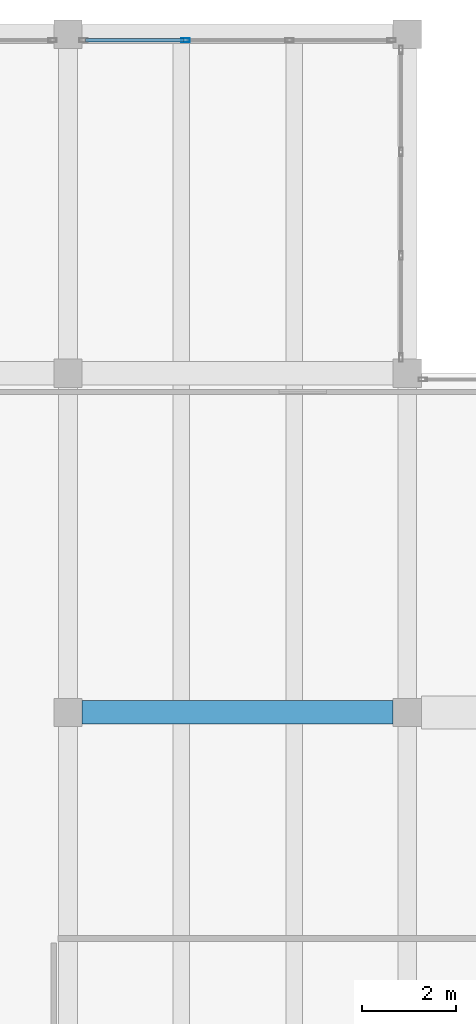
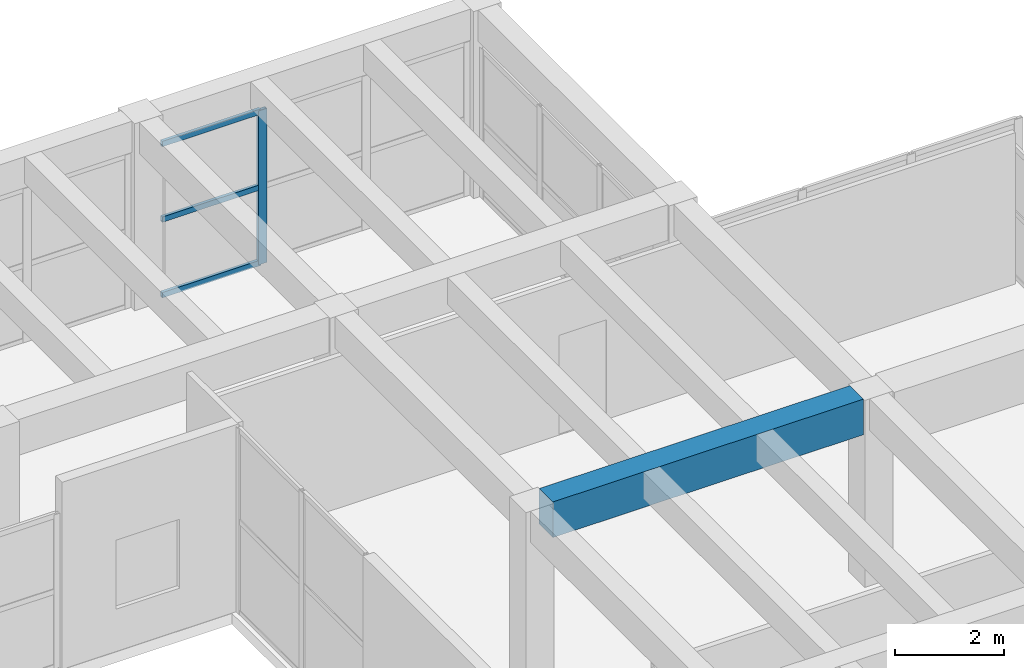
# One storey, part 86 of 153: 4 members, 1 beam, 1 element without a shape of its own.
"""IFC4 building model written with IfcOpenShell, lengths in metres."""

from ifc_helpers import new_model, si_unit, direction, frame, origin, origin_2d, place, context, subcontext, project, spatial, rectangle, hollow_rectangle, extrude, material, material_profile, profile_set, type_object, element, aggregate, save


model = new_model("IFC4")

# Units and contexts
model_context = context("Model", 3, precision=1e-05, world=origin(), true_north=direction((0.0, 1.0)))
body_context = subcontext(model_context, "Body", "Model", "MODEL_VIEW")
ifc_project = project(units=[si_unit("LENGTHUNIT", "METRE"), si_unit("AREAUNIT", "SQUARE_METRE"), si_unit("VOLUMEUNIT", "CUBIC_METRE"), si_unit("PLANEANGLEUNIT", "RADIAN"), si_unit("MASSUNIT", "GRAM", prefix="KILO")], contexts=[model_context])

# Site, building, storey
site_placement = place(None, origin())
site = spatial("IfcSite", under=ifc_project, at=site_placement, CompositionType="ELEMENT")
building_placement = place(site_placement, origin())
building = spatial("IfcBuilding", under=site, at=building_placement, Name="Bramvelor Terrace Health Centre", CompositionType="ELEMENT")
storey_placement = place(building_placement, frame((0.0, 0.0, 4.800048828125)))
storey = spatial("IfcBuildingStorey", under=building, at=storey_placement, Name="L02", CompositionType="ELEMENT", Elevation=4.800048828125)

# Beam
ifc_material_1 = material(Name="Concrete C40/50", Category="concrete")
ifc_material_profile_1 = material_profile(ifc_material_1, rectangle(XDim=0.5, YDim=0.800048828125, at=origin_2d()), Name="RC 500x800")
ifc_profile_set_1 = profile_set([ifc_material_profile_1], Name="Concrete C40/50")
beam_type = type_object("IfcBeamType", Name="BM-RC-G800", PredefinedType="BEAM", material=ifc_profile_set_1)
beam_placement = place(storey_placement, frame((29.10009765625, 100.800048828125, 3.800048828125), z_axis=(1.0, 0.0, 0.0), x_axis=(0.0, 1.0, 0.0)))
element("IfcBeam", 1, at=beam_placement, inside=storey, type_object=beam_type, Name="L02 Floor Girder", PredefinedType="BEAM", context=body_context, shape_type="SweptSolid", body=[
    extrude(rectangle(XDim=0.5, YDim=0.800048828125, at=origin_2d()), origin(), (0.0, 0.0, 1.0), 6.599853515625),
])

# Curtain wall, members
ifc_material_2 = material(Name="Anodized aluminium and double low-E glass", Category="aluminium")
curtain_wall_type = type_object("IfcCurtainWallType", Name="CW-SYS-13", PredefinedType="NOTDEFINED", material=ifc_material_2)
curtain_wall_placement = place(storey_placement, origin())
curtain_wall = element("IfcCurtainWall", 2, at=curtain_wall_placement, inside=storey, type_object=curtain_wall_type, Name="L02 Unitized Curtain Wall 82", PredefinedType="NOTDEFINED")
ifc_material_3 = material(Name="Anodized aluminium 6063-T6", Category="aluminium")
ifc_material_profile_2 = material_profile(ifc_material_3, hollow_rectangle(XDim=0.074951171875, YDim=0.179931640625, WallThickness=0.00341796875, at=origin_2d()), Name="ALU-MUL 75x180x3.5")
ifc_profile_set_2 = profile_set([ifc_material_profile_2], Name="Anodized aluminium 6063-T6")
member_type_1 = type_object("IfcMemberType", Name="CW-MUL-65x180", PredefinedType="MULLION", material=ifc_profile_set_2)
member_1_placement = place(storey_placement, frame((31.29833984375, 115.070068359375, 0.0), z_axis=(0.0, 0.0, 1.0), x_axis=(0.0, 1.0, 0.0)))
member_1 = element("IfcMember", 3, at=member_1_placement, type_object=member_type_1, Name="CW-13 mullion 2", PredefinedType="MULLION", context=body_context, shape_type="SweptSolid", body=[
    extrude(hollow_rectangle(XDim=0.074951171875, YDim=0.179931640625, WallThickness=0.00341796875, at=origin_2d()), origin(), (0.0, 0.0, 1.0), 3.4599609375),
])
ifc_material_4 = material(Name="Anodized aluminium 6063-T6", Category="aluminium")
ifc_material_profile_3 = material_profile(ifc_material_4, hollow_rectangle(XDim=0.06494140625, YDim=0.1201171875, WallThickness=0.0029296875, at=origin_2d()), Name="ALU-TRN 65x120x3.0")
ifc_profile_set_3 = profile_set([ifc_material_profile_3], Name="Anodized aluminium 6063-T6")
member_type_2 = type_object("IfcMemberType", Name="CW-TRN-65x150", PredefinedType="USERDEFINED", material=ifc_profile_set_3)
member_2_placement = place(storey_placement, frame((29.169921875, 115.070068359375, 0.032470703125), z_axis=(1.0, 0.0, 0.0), x_axis=(0.0, 1.0, 0.0)))
member_2 = element("IfcMember", 4, at=member_2_placement, type_object=member_type_2, Name="CW-13 transom 1.1", ObjectType="TRANSOM", PredefinedType="USERDEFINED", context=body_context, shape_type="SweptSolid", body=[
    extrude(hollow_rectangle(XDim=0.06494140625, YDim=0.1201171875, WallThickness=0.0029296875, at=origin_2d()), origin(), (0.0, 0.0, 1.0), 2.0908203125),
])
member_3_placement = place(storey_placement, frame((29.169921875, 115.070068359375, 1.72998046875), z_axis=(1.0, 0.0, 0.0), x_axis=(0.0, 1.0, 0.0)))
member_3 = element("IfcMember", 5, at=member_3_placement, type_object=member_type_2, Name="CW-13 transom 1.2", ObjectType="TRANSOM", PredefinedType="USERDEFINED", context=body_context, shape_type="SweptSolid", body=[
    extrude(hollow_rectangle(XDim=0.06494140625, YDim=0.1201171875, WallThickness=0.0029296875, at=origin_2d()), origin(), (0.0, 0.0, 1.0), 2.0908203125),
])
member_4_placement = place(storey_placement, frame((29.169921875, 115.070068359375, 3.427490234375), z_axis=(1.0, 0.0, 0.0), x_axis=(0.0, 1.0, 0.0)))
member_4 = element("IfcMember", 6, at=member_4_placement, type_object=member_type_2, Name="CW-13 transom 1.3", ObjectType="TRANSOM", PredefinedType="USERDEFINED", context=body_context, shape_type="SweptSolid", body=[
    extrude(hollow_rectangle(XDim=0.06494140625, YDim=0.1201171875, WallThickness=0.0029296875, at=origin_2d()), origin(), (0.0, 0.0, 1.0), 2.0908203125),
])
aggregate(curtain_wall, [member_1, member_2, member_3, member_4])

save(model, "model.ifc")
